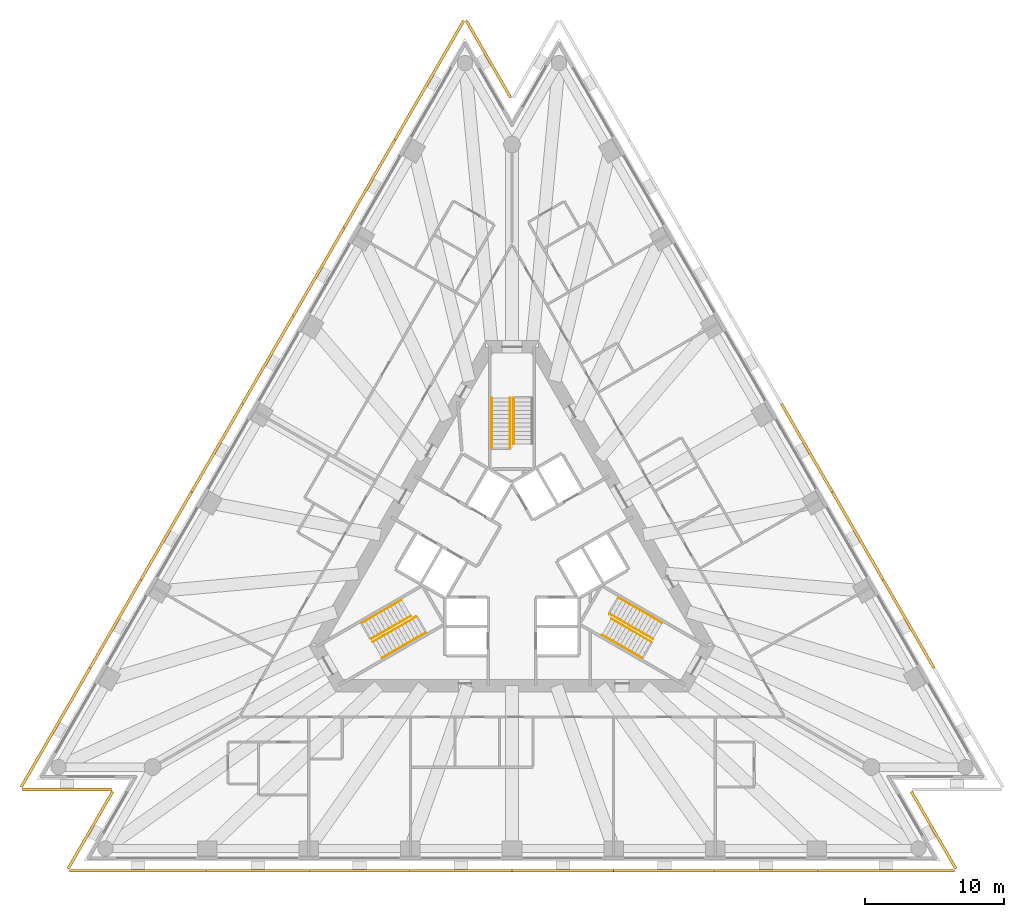
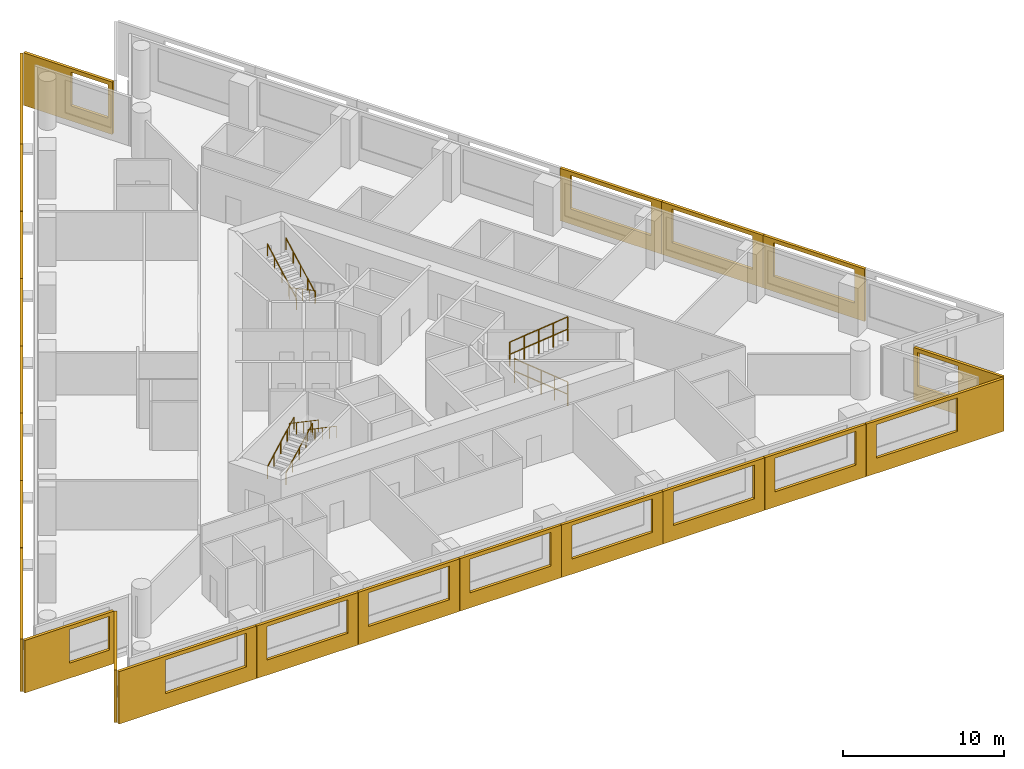
# One storey, part 10 of 11: 23 shading devices, 11 railings, 3 elements without a shape of their own.
"""IFC4 building model written with IfcOpenShell, lengths in metres."""

from ifc_helpers import new_model, si_unit, direction, frame, origin, origin_2d, place, context, subcontext, project, spatial, polyline, circle, outline, extrude, material, layer, layer_set, type_object, element, aggregate, save


model = new_model("IFC4")

# Units and contexts
model_context = context("Model", 3, precision=1e-05, world=origin(), true_north=direction((0.0, 1.0)))
body_context = subcontext(model_context, "Body", "Model", "MODEL_VIEW")
ifc_project = project(units=[si_unit("LENGTHUNIT", "METRE"), si_unit("AREAUNIT", "SQUARE_METRE"), si_unit("VOLUMEUNIT", "CUBIC_METRE"), si_unit("PLANEANGLEUNIT", "RADIAN"), si_unit("MASSUNIT", "GRAM", prefix="KILO")], contexts=[model_context])

# Site, building, storey
site_placement = place(None, origin())
site = spatial("IfcSite", under=ifc_project, at=site_placement, CompositionType="ELEMENT")
building_placement = place(site_placement, origin())
building = spatial("IfcBuilding", under=site, at=building_placement, Name="Triada Interchange Tower", CompositionType="ELEMENT")
storey_placement = place(building_placement, frame((0.0, 0.0, 71.300048828125)))
storey = spatial("IfcBuildingStorey", under=building, at=storey_placement, Name="L15", CompositionType="ELEMENT", Elevation=71.300048828125)

# Shading devices
ifc_material_1 = material(Name="Concrete C50/60 precast", Category="concrete")
ifc_layer_1 = layer(ifc_material_1, 0.02001953125, Name="Exposed aggregate face")
ifc_layer_2 = layer(ifc_material_1, 0.179931640625, Name="Precast concrete screen")
ifc_layer_set = layer_set([ifc_layer_1, ifc_layer_2], Name="Outer skin screen panel 3980")
shading_device_type = type_object("IfcShadingDeviceType", Name="Outer skin screen panel 3980", PredefinedType="SHUTTER", material=ifc_layer_set)
shading_device_1_placement = place(storey_placement, frame((-3.3759765625, 38.596923828125, -0.2900390625), z_axis=(0.0, 0.0, 1.0), x_axis=(-0.500019487037, -0.866014152646, 0.0)))
element("IfcShadingDevice", 1, at=shading_device_1_placement, inside=storey, type_object=shading_device_type, Name="Outer skin screen panel L15 01", PredefinedType="SHUTTER", context=body_context, shape_type="SweptSolid", body=[
    extrude(outline(polyline([(0.0, 0.0), (9.86572265625, 0.0), (9.86572265625, 3.97998046875), (0.0, 3.97998046875), (0.0, 0.0)]), holes=[polyline([(3.33154296875, 1.139892578125), (3.33154296875, 3.68994140625), (9.131591796875, 3.68994140625), (9.131591796875, 1.139892578125), (3.33154296875, 1.139892578125)])]), frame((0.0, 0.0, 0.0), z_axis=(0.0, -1.0, 0.0), x_axis=(1.0, 0.0, 0.0)), (0.0, 0.0, 1.0), 0.199951171875),
])
shading_device_2_placement = place(storey_placement, frame((-8.319091796875, 30.035888671875, -0.2900390625), z_axis=(0.0, 0.0, 1.0), x_axis=(-0.499997733992, -0.866026712061, 0.0)))
element("IfcShadingDevice", 2, at=shading_device_2_placement, inside=storey, type_object=shading_device_type, Name="Outer skin screen panel L15 02", PredefinedType="SHUTTER", context=body_context, shape_type="SweptSolid", body=[
    extrude(outline(polyline([(0.0, 0.0), (7.267578125, 0.0), (7.267578125, 3.97998046875), (0.0, 3.97998046875), (0.0, 0.0)]), holes=[polyline([(0.73388671875, 1.139892578125), (0.73388671875, 3.68994140625), (6.533935546875, 3.68994140625), (6.533935546875, 1.139892578125), (0.73388671875, 1.139892578125)])]), frame((0.0, 0.0, 0.0), z_axis=(0.0, -1.0, 0.0), x_axis=(1.0, 0.0, 0.0)), (0.0, 0.0, 1.0), 0.199951171875),
])
shading_device_3_placement = place(storey_placement, frame((-11.962890625, 23.72509765625, -0.2900390625), z_axis=(0.0, 0.0, 1.0), x_axis=(-0.499907598821, -0.866078745058, 0.0)))
element("IfcShadingDevice", 3, at=shading_device_3_placement, inside=storey, type_object=shading_device_type, Name="Outer skin screen panel L15 03", PredefinedType="SHUTTER", context=body_context, shape_type="SweptSolid", body=[
    extrude(outline(polyline([(0.0, 0.0), (7.267578125, 0.0), (7.267578125, 3.97998046875), (0.0, 3.97998046875), (0.0, 0.0)]), holes=[polyline([(0.7333984375, 1.139892578125), (0.7333984375, 3.68994140625), (6.533447265625, 3.68994140625), (6.533447265625, 1.139892578125), (0.7333984375, 1.139892578125)])]), frame((0.0, 0.0, 0.0), z_axis=(0.0, -1.0, 0.0), x_axis=(1.0, 0.0, 0.0)), (0.0, 0.0, 1.0), 0.199951171875),
])
shading_device_4_placement = place(storey_placement, frame((-15.60595703125, 17.4140625, -0.2900390625), z_axis=(0.0, 0.0, 1.0), x_axis=(-0.500022928159, -0.866012165801, 0.0)))
element("IfcShadingDevice", 4, at=shading_device_4_placement, inside=storey, type_object=shading_device_type, Name="Outer skin screen panel L15 04", PredefinedType="SHUTTER", context=body_context, shape_type="SweptSolid", body=[
    extrude(outline(polyline([(0.0, 0.0), (7.267822265625, 0.0), (7.267822265625, 3.97998046875), (0.0, 3.97998046875), (0.0, 0.0)]), holes=[polyline([(0.73388671875, 1.139892578125), (0.73388671875, 3.68994140625), (6.53369140625, 3.68994140625), (6.53369140625, 1.139892578125), (0.73388671875, 1.139892578125)])]), frame((0.0, 0.0, 0.0), z_axis=(0.0, -1.0, 0.0), x_axis=(1.0, 0.0, 0.0)), (0.0, 0.0, 1.0), 0.199951171875),
])
shading_device_5_placement = place(storey_placement, frame((-19.25, 11.10205078125, -0.2900390625), z_axis=(0.0, 0.0, 1.0), x_axis=(-0.500022928159, -0.866012165801, 0.0)))
element("IfcShadingDevice", 5, at=shading_device_5_placement, inside=storey, type_object=shading_device_type, Name="Outer skin screen panel L15 05", PredefinedType="SHUTTER", context=body_context, shape_type="SweptSolid", body=[
    extrude(outline(polyline([(0.0, 0.0), (7.267822265625, 0.0), (7.267822265625, 3.97998046875), (0.0, 3.97998046875), (0.0, 0.0)]), holes=[polyline([(0.734130859375, 1.139892578125), (0.734130859375, 3.68994140625), (6.5341796875, 3.68994140625), (6.5341796875, 1.139892578125), (0.734130859375, 1.139892578125)])]), frame((0.0, 0.0, 0.0), z_axis=(0.0, -1.0, 0.0), x_axis=(1.0, 0.0, 0.0)), (0.0, 0.0, 1.0), 0.199951171875),
])
shading_device_6_placement = place(storey_placement, frame((-22.89404296875, 4.791015625, -0.2900390625), z_axis=(0.0, 0.0, 1.0), x_axis=(-0.500022928159, -0.866012165801, 0.0)))
element("IfcShadingDevice", 6, at=shading_device_6_placement, inside=storey, type_object=shading_device_type, Name="Outer skin screen panel L15 06", PredefinedType="SHUTTER", context=body_context, shape_type="SweptSolid", body=[
    extrude(outline(polyline([(0.0, 0.0), (7.267822265625, 0.0), (7.267822265625, 3.97998046875), (0.0, 3.97998046875), (0.0, 0.0)]), holes=[polyline([(0.733642578125, 1.139892578125), (0.733642578125, 3.68994140625), (6.53369140625, 3.68994140625), (6.53369140625, 1.139892578125), (0.733642578125, 1.139892578125)])]), frame((0.0, 0.0, 0.0), z_axis=(0.0, -1.0, 0.0), x_axis=(1.0, 0.0, 0.0)), (0.0, 0.0, 1.0), 0.199951171875),
])
shading_device_7_placement = place(storey_placement, frame((-26.5380859375, -1.52001953125, -0.2900390625), z_axis=(0.0, 0.0, 1.0), x_axis=(-0.499896944627, -0.866084894657, 0.0)))
element("IfcShadingDevice", 7, at=shading_device_7_placement, inside=storey, type_object=shading_device_type, Name="Outer skin screen panel L15 07", PredefinedType="SHUTTER", context=body_context, shape_type="SweptSolid", body=[
    extrude(outline(polyline([(0.0, 0.0), (7.26708984375, 0.0), (7.26708984375, 3.97998046875), (0.0, 3.97998046875), (0.0, 0.0)]), holes=[polyline([(0.73388671875, 1.139892578125), (0.73388671875, 3.68994140625), (6.533935546875, 3.68994140625), (6.533935546875, 1.139892578125), (0.73388671875, 1.139892578125)])]), frame((0.0, 0.0, 0.0), z_axis=(0.0, -1.0, 0.0), x_axis=(1.0, 0.0, 0.0)), (0.0, 0.0, 1.0), 0.199951171875),
])
shading_device_8_placement = place(storey_placement, frame((-30.180908203125, -7.8310546875, -0.2900390625), z_axis=(0.0, 0.0, 1.0), x_axis=(-0.500019487037, -0.866014152646, 0.0)))
element("IfcShadingDevice", 8, at=shading_device_8_placement, inside=storey, type_object=shading_device_type, Name="Outer skin screen panel L15 08", PredefinedType="SHUTTER", context=body_context, shape_type="SweptSolid", body=[
    extrude(outline(polyline([(0.0, 0.0), (9.86572265625, 0.0), (9.86572265625, 3.97998046875), (0.0, 3.97998046875), (0.0, 0.0)]), holes=[polyline([(0.7333984375, 1.139892578125), (0.7333984375, 3.68994140625), (6.533447265625, 3.68994140625), (6.533447265625, 1.139892578125), (0.7333984375, 1.139892578125)])]), frame((0.0, 0.0, 0.0), z_axis=(0.0, -1.0, 0.0), x_axis=(1.0, 0.0, 0.0)), (0.0, 0.0, 1.0), 0.199951171875),
])
shading_device_9_placement = place(storey_placement, frame((-35.10888671875, -16.384033203125, -0.2900390625), z_axis=(0.0, 0.0, 1.0), x_axis=(1.0, 0.0, 0.0)))
element("IfcShadingDevice", 9, at=shading_device_9_placement, inside=storey, type_object=shading_device_type, Name="Outer skin screen panel L15 09", PredefinedType="SHUTTER", context=body_context, shape_type="SweptSolid", body=[
    extrude(outline(polyline([(0.0, 0.0), (6.373779296875, 0.0), (6.373779296875, 3.97998046875), (0.0, 3.97998046875), (0.0, 0.0)]), holes=[polyline([(3.175048828125, 1.139892578125), (3.175048828125, 3.68994140625), (6.073974609375, 3.68994140625), (6.073974609375, 1.139892578125), (3.175048828125, 1.139892578125)])]), frame((0.0, 0.0, 0.0), z_axis=(0.0, -1.0, 0.0), x_axis=(1.0, 0.0, 0.0)), (0.0, 0.0, 1.0), 0.199951171875),
])
shading_device_10_placement = place(storey_placement, frame((-28.555908203125, -16.693115234375, -0.2900390625), z_axis=(0.0, 0.0, 1.0), x_axis=(-0.500019757925, -0.866013996241, 0.0)))
element("IfcShadingDevice", 10, at=shading_device_10_placement, inside=storey, type_object=shading_device_type, Name="Outer skin screen panel L15 10", PredefinedType="SHUTTER", context=body_context, shape_type="SweptSolid", body=[
    extrude(outline(polyline([(0.0, 0.0), (6.373779296875, 0.0), (6.373779296875, 3.97998046875), (0.0, 3.97998046875), (0.0, 0.0)]), holes=[polyline([(0.300048828125, 1.139892578125), (0.300048828125, 3.68994140625), (2.9580078125, 3.68994140625), (2.9580078125, 1.139892578125), (0.300048828125, 1.139892578125)])]), frame((0.0, 0.0, 0.0), z_axis=(0.0, -1.0, 0.0), x_axis=(1.0, 0.0, 0.0)), (0.0, 0.0, 1.0), 0.199951171875),
])
shading_device_11_placement = place(storey_placement, frame((-31.738037109375, -22.221923828125, -0.2900390625), z_axis=(0.0, 0.0, 1.0), x_axis=(1.0, 0.0, 0.0)))
element("IfcShadingDevice", 11, at=shading_device_11_placement, inside=storey, type_object=shading_device_type, Name="Outer skin screen panel L15 11", PredefinedType="SHUTTER", context=body_context, shape_type="SweptSolid", body=[
    extrude(outline(polyline([(0.0, 0.0), (9.865966796875, 0.0), (9.865966796875, 3.97998046875), (0.0, 3.97998046875), (0.0, 0.0)]), holes=[polyline([(3.33203125, 1.139892578125), (3.33203125, 3.68994140625), (9.132080078125, 3.68994140625), (9.132080078125, 1.139892578125), (3.33203125, 1.139892578125)])]), frame((0.0, 0.0, 0.0), z_axis=(0.0, -1.0, 0.0), x_axis=(1.0, 0.0, 0.0)), (0.0, 0.0, 1.0), 0.199951171875),
])
shading_device_12_placement = place(storey_placement, frame((-21.85205078125, -22.221923828125, -0.2900390625), z_axis=(0.0, 0.0, 1.0), x_axis=(1.0, 0.0, 0.0)))
element("IfcShadingDevice", 12, at=shading_device_12_placement, inside=storey, type_object=shading_device_type, Name="Outer skin screen panel L15 12", PredefinedType="SHUTTER", context=body_context, shape_type="SweptSolid", body=[
    extrude(outline(polyline([(0.0, 0.0), (7.26708984375, 0.0), (7.26708984375, 3.97998046875), (0.0, 3.97998046875), (0.0, 0.0)]), holes=[polyline([(0.7333984375, 1.139892578125), (0.7333984375, 3.68994140625), (6.533447265625, 3.68994140625), (6.533447265625, 1.139892578125), (0.7333984375, 1.139892578125)])]), frame((0.0, 0.0, 0.0), z_axis=(0.0, -1.0, 0.0), x_axis=(1.0, 0.0, 0.0)), (0.0, 0.0, 1.0), 0.199951171875),
])
shading_device_13_placement = place(storey_placement, frame((-14.56494140625, -22.221923828125, -0.2900390625), z_axis=(0.0, 0.0, 1.0), x_axis=(1.0, 0.0, 0.0)))
element("IfcShadingDevice", 13, at=shading_device_13_placement, inside=storey, type_object=shading_device_type, Name="Outer skin screen panel L15 13", PredefinedType="SHUTTER", context=body_context, shape_type="SweptSolid", body=[
    extrude(outline(polyline([(0.0, 0.0), (7.266845703125, 0.0), (7.266845703125, 3.97998046875), (0.0, 3.97998046875), (0.0, 0.0)]), holes=[polyline([(0.73388671875, 1.139892578125), (0.73388671875, 3.68994140625), (6.533935546875, 3.68994140625), (6.533935546875, 1.139892578125), (0.73388671875, 1.139892578125)])]), frame((0.0, 0.0, 0.0), z_axis=(0.0, -1.0, 0.0), x_axis=(1.0, 0.0, 0.0)), (0.0, 0.0, 1.0), 0.199951171875),
])
shading_device_14_placement = place(storey_placement, frame((-7.278076171875, -22.221923828125, -0.2900390625), z_axis=(0.0, 0.0, 1.0), x_axis=(1.0, 0.0, 0.0)))
element("IfcShadingDevice", 14, at=shading_device_14_placement, inside=storey, type_object=shading_device_type, Name="Outer skin screen panel L15 14", PredefinedType="SHUTTER", context=body_context, shape_type="SweptSolid", body=[
    extrude(outline(polyline([(0.0, 0.0), (7.26806640625, 0.0), (7.26806640625, 3.97998046875), (0.0, 3.97998046875), (0.0, 0.0)]), holes=[polyline([(0.7333984375, 1.139892578125), (0.7333984375, 3.68994140625), (6.533447265625, 3.68994140625), (6.533447265625, 1.139892578125), (0.7333984375, 1.139892578125)])]), frame((0.0, 0.0, 0.0), z_axis=(0.0, -1.0, 0.0), x_axis=(1.0, 0.0, 0.0)), (0.0, 0.0, 1.0), 0.199951171875),
])
shading_device_15_placement = place(storey_placement, frame((0.010009765625, -22.221923828125, -0.2900390625), z_axis=(0.0, 0.0, 1.0), x_axis=(1.0, 0.0, 0.0)))
element("IfcShadingDevice", 15, at=shading_device_15_placement, inside=storey, type_object=shading_device_type, Name="Outer skin screen panel L15 15", PredefinedType="SHUTTER", context=body_context, shape_type="SweptSolid", body=[
    extrude(outline(polyline([(0.0, 0.0), (7.26806640625, 0.0), (7.26806640625, 3.97998046875), (0.0, 3.97998046875), (0.0, 0.0)]), holes=[polyline([(0.73388671875, 1.139892578125), (0.73388671875, 3.68994140625), (6.533935546875, 3.68994140625), (6.533935546875, 1.139892578125), (0.73388671875, 1.139892578125)])]), frame((0.0, 0.0, 0.0), z_axis=(0.0, -1.0, 0.0), x_axis=(1.0, 0.0, 0.0)), (0.0, 0.0, 1.0), 0.199951171875),
])
shading_device_16_placement = place(storey_placement, frame((7.297119140625, -22.221923828125, -0.2900390625), z_axis=(0.0, 0.0, 1.0), x_axis=(1.0, 0.0, 0.0)))
element("IfcShadingDevice", 16, at=shading_device_16_placement, inside=storey, type_object=shading_device_type, Name="Outer skin screen panel L15 16", PredefinedType="SHUTTER", context=body_context, shape_type="SweptSolid", body=[
    extrude(outline(polyline([(0.0, 0.0), (7.267822265625, 0.0), (7.267822265625, 3.97998046875), (0.0, 3.97998046875), (0.0, 0.0)]), holes=[polyline([(0.7333984375, 1.139892578125), (0.7333984375, 3.68994140625), (6.533447265625, 3.68994140625), (6.533447265625, 1.139892578125), (0.7333984375, 1.139892578125)])]), frame((0.0, 0.0, 0.0), z_axis=(0.0, -1.0, 0.0), x_axis=(1.0, 0.0, 0.0)), (0.0, 0.0, 1.0), 0.199951171875),
])
shading_device_17_placement = place(storey_placement, frame((14.5849609375, -22.221923828125, -0.2900390625), z_axis=(0.0, 0.0, 1.0), x_axis=(1.0, 0.0, 0.0)))
element("IfcShadingDevice", 17, at=shading_device_17_placement, inside=storey, type_object=shading_device_type, Name="Outer skin screen panel L15 17", PredefinedType="SHUTTER", context=body_context, shape_type="SweptSolid", body=[
    extrude(outline(polyline([(0.0, 0.0), (7.26806640625, 0.0), (7.26806640625, 3.97998046875), (0.0, 3.97998046875), (0.0, 0.0)]), holes=[polyline([(0.73388671875, 1.139892578125), (0.73388671875, 3.68994140625), (6.533935546875, 3.68994140625), (6.533935546875, 1.139892578125), (0.73388671875, 1.139892578125)])]), frame((0.0, 0.0, 0.0), z_axis=(0.0, -1.0, 0.0), x_axis=(1.0, 0.0, 0.0)), (0.0, 0.0, 1.0), 0.199951171875),
])
shading_device_18_placement = place(storey_placement, frame((21.8720703125, -22.221923828125, -0.2900390625), z_axis=(0.0, 0.0, 1.0), x_axis=(1.0, 0.0, 0.0)))
element("IfcShadingDevice", 18, at=shading_device_18_placement, inside=storey, type_object=shading_device_type, Name="Outer skin screen panel L15 18", PredefinedType="SHUTTER", context=body_context, shape_type="SweptSolid", body=[
    extrude(outline(polyline([(0.0, 0.0), (9.865966796875, 0.0), (9.865966796875, 3.97998046875), (0.0, 3.97998046875), (0.0, 0.0)]), holes=[polyline([(0.7333984375, 1.139892578125), (0.7333984375, 3.68994140625), (6.533447265625, 3.68994140625), (6.533447265625, 1.139892578125), (0.7333984375, 1.139892578125)])]), frame((0.0, 0.0, 0.0), z_axis=(0.0, -1.0, 0.0), x_axis=(1.0, 0.0, 0.0)), (0.0, 0.0, 1.0), 0.199951171875),
])
shading_device_19_placement = place(storey_placement, frame((31.742919921875, -22.212890625, -0.2900390625), z_axis=(0.0, 0.0, 1.0), x_axis=(-0.500019757925, 0.866013996241, 0.0)))
element("IfcShadingDevice", 19, at=shading_device_19_placement, inside=storey, type_object=shading_device_type, Name="Outer skin screen panel L15 19", PredefinedType="SHUTTER", context=body_context, shape_type="SweptSolid", body=[
    extrude(outline(polyline([(0.0, 0.0), (6.373779296875, 0.0), (6.373779296875, 3.97998046875), (0.0, 3.97998046875), (0.0, 0.0)]), holes=[polyline([(3.17529296875, 1.139892578125), (3.17529296875, 3.68994140625), (6.07421875, 3.68994140625), (6.07421875, 1.139892578125), (3.17529296875, 1.139892578125)])]), frame((0.0, 0.0, 0.0), z_axis=(0.0, -1.0, 0.0), x_axis=(1.0, 0.0, 0.0)), (0.0, 0.0, 1.0), 0.199951171875),
])
shading_device_20_placement = place(storey_placement, frame((30.1708984375, -7.81396484375, -0.2900390625), z_axis=(0.0, 0.0, 1.0), x_axis=(-0.499896944627, 0.866084894657, 0.0)))
element("IfcShadingDevice", 20, at=shading_device_20_placement, inside=storey, type_object=shading_device_type, Name="Outer skin screen panel L15 22", PredefinedType="SHUTTER", context=body_context, shape_type="SweptSolid", body=[
    extrude(outline(polyline([(0.0, 0.0), (7.26708984375, 0.0), (7.26708984375, 3.97998046875), (0.0, 3.97998046875), (0.0, 0.0)]), holes=[polyline([(0.733642578125, 1.139892578125), (0.733642578125, 3.68994140625), (6.53369140625, 3.68994140625), (6.53369140625, 1.139892578125), (0.733642578125, 1.139892578125)])]), frame((0.0, 0.0, 0.0), z_axis=(0.0, -1.0, 0.0), x_axis=(1.0, 0.0, 0.0)), (0.0, 0.0, 1.0), 0.199951171875),
])
shading_device_21_placement = place(storey_placement, frame((26.528076171875, -1.5029296875, -0.2900390625), z_axis=(0.0, 0.0, 1.0), x_axis=(-0.500022928159, 0.866012165801, 0.0)))
element("IfcShadingDevice", 21, at=shading_device_21_placement, inside=storey, type_object=shading_device_type, Name="Outer skin screen panel L15 23", PredefinedType="SHUTTER", context=body_context, shape_type="SweptSolid", body=[
    extrude(outline(polyline([(0.0, 0.0), (7.267822265625, 0.0), (7.267822265625, 3.97998046875), (0.0, 3.97998046875), (0.0, 0.0)]), holes=[polyline([(0.734130859375, 1.139892578125), (0.734130859375, 3.68994140625), (6.5341796875, 3.68994140625), (6.5341796875, 1.139892578125), (0.734130859375, 1.139892578125)])]), frame((0.0, 0.0, 0.0), z_axis=(0.0, -1.0, 0.0), x_axis=(1.0, 0.0, 0.0)), (0.0, 0.0, 1.0), 0.199951171875),
])
shading_device_22_placement = place(storey_placement, frame((22.884033203125, 4.80810546875, -0.2900390625), z_axis=(0.0, 0.0, 1.0), x_axis=(-0.500022928159, 0.866012165801, 0.0)))
element("IfcShadingDevice", 22, at=shading_device_22_placement, inside=storey, type_object=shading_device_type, Name="Outer skin screen panel L15 24", PredefinedType="SHUTTER", context=body_context, shape_type="SweptSolid", body=[
    extrude(outline(polyline([(0.0, 0.0), (7.267822265625, 0.0), (7.267822265625, 3.97998046875), (0.0, 3.97998046875), (0.0, 0.0)]), holes=[polyline([(0.7333984375, 1.139892578125), (0.7333984375, 3.68994140625), (6.533447265625, 3.68994140625), (6.533447265625, 1.139892578125), (0.7333984375, 1.139892578125)])]), frame((0.0, 0.0, 0.0), z_axis=(0.0, -1.0, 0.0), x_axis=(1.0, 0.0, 0.0)), (0.0, 0.0, 1.0), 0.199951171875),
])
shading_device_23_placement = place(storey_placement, frame((-0.177978515625, 33.076904296875, -0.2900390625), z_axis=(0.0, 0.0, 1.0), x_axis=(-0.500118066197, 0.865957227502, 0.0)))
element("IfcShadingDevice", 23, at=shading_device_23_placement, inside=storey, type_object=shading_device_type, Name="Outer skin screen panel L15 30", PredefinedType="SHUTTER", context=body_context, shape_type="SweptSolid", body=[
    extrude(outline(polyline([(0.0, 0.0), (6.37451171875, 0.0), (6.37451171875, 3.97998046875), (0.0, 3.97998046875), (0.0, 0.0)]), holes=[polyline([(0.300048828125, 1.139892578125), (0.300048828125, 3.68994140625), (2.9580078125, 3.68994140625), (2.9580078125, 1.139892578125), (0.300048828125, 1.139892578125)])]), frame((0.0, 0.0, 0.0), z_axis=(0.0, -1.0, 0.0), x_axis=(1.0, 0.0, 0.0)), (0.0, 0.0, 1.0), 0.199951171875),
])

# Stair, railings
ifc_material_2 = material(Name="Concrete C35/45", Category="concrete")
stair_type = type_object("IfcStairType", Name="HALF TURN STAIR 1400", PredefinedType="HALF_TURN_STAIR", material=ifc_material_2)
stair_1_placement = place(storey_placement, origin())
stair_1 = element("IfcStair", 24, at=stair_1_placement, inside=storey, type_object=stair_type, Name="Exit stair S15-1", PredefinedType="HALF_TURN_STAIR")
ifc_material_3 = material(Name="Stainless steel 1.4301", Category="steel")
railing_type = type_object("IfcRailingType", Name="STAIR HANDRAIL 900", PredefinedType="HANDRAIL", material=ifc_material_3)
railing_1_placement = place(storey_placement, frame((0.1201171875, 11.60009765625, 0.159912109375)))
railing_1 = element("IfcRailing", 25, at=railing_1_placement, type_object=railing_type, Name="Handrail S15-1 1C", PredefinedType="HANDRAIL", context=body_context, shape_type="SweptSolid", body=[
    extrude(circle(Radius=0.02392578125, at=origin_2d()), frame((0.0, 0.0, 0.8759765625), z_axis=(0.0, -0.882354748157, 0.47058484719), x_axis=(1.0, 0.0, 0.0)), (0.0, 0.0, 1.0), 3.739990234375),
    extrude(circle(Radius=0.02099609375, at=origin_2d()), origin(), (0.0, 0.0, 1.0), 0.851806640625),
    extrude(circle(Radius=0.02099609375, at=origin_2d()), frame((0.0, -0.824951171875, 0.43994140625)), (0.0, 0.0, 1.0), 0.851806640625),
    extrude(circle(Radius=0.02099609375, at=origin_2d()), frame((0.0, -1.64990234375, 0.8798828125)), (0.0, 0.0, 1.0), 0.851806640625),
    extrude(circle(Radius=0.02099609375, at=origin_2d()), frame((0.0, -2.47509765625, 1.320068359375)), (0.0, 0.0, 1.0), 0.851806640625),
    extrude(circle(Radius=0.02099609375, at=origin_2d()), frame((0.0, -3.300048828125, 1.760009765625)), (0.0, 0.0, 1.0), 0.851806640625),
])
railing_2_placement = place(storey_placement, frame((-1.449951171875, 8.0, 2.079833984375)))
railing_2 = element("IfcRailing", 26, at=railing_2_placement, type_object=railing_type, Name="Handrail S15-1 2W", PredefinedType="HANDRAIL", context=body_context, shape_type="SweptSolid", body=[
    extrude(circle(Radius=0.02392578125, at=origin_2d()), frame((0.0, 0.0, 0.8759765625), z_axis=(0.0, 0.882341346394, 0.470609974867), x_axis=(-1.0, 0.0, 0.0)), (0.0, 0.0, 1.0), 4.080078125),
    extrude(circle(Radius=0.02099609375, at=origin_2d()), origin(), (0.0, 0.0, 1.0), 0.851806640625),
    extrude(circle(Radius=0.02099609375, at=origin_2d()), frame((0.0, 0.89990234375, 0.47998046875)), (0.0, 0.0, 1.0), 0.851806640625),
    extrude(circle(Radius=0.02099609375, at=origin_2d()), frame((0.0, 1.800048828125, 0.9599609375)), (0.0, 0.0, 1.0), 0.851806640625),
    extrude(circle(Radius=0.02099609375, at=origin_2d()), frame((0.0, 2.7001953125, 1.440185546875)), (0.0, 0.0, 1.0), 0.851806640625),
    extrude(circle(Radius=0.02099609375, at=origin_2d()), frame((0.0, 3.60009765625, 1.920166015625)), (0.0, 0.0, 1.0), 0.851806640625),
])
railing_3_placement = place(storey_placement, frame((-0.1201171875, 8.0, 2.079833984375)))
railing_3 = element("IfcRailing", 27, at=railing_3_placement, type_object=railing_type, Name="Handrail S15-1 2C", PredefinedType="HANDRAIL", context=body_context, shape_type="SweptSolid", body=[
    extrude(circle(Radius=0.02392578125, at=origin_2d()), frame((0.0, 0.0, 0.8759765625), z_axis=(0.0, 0.882341346394, 0.470609974867), x_axis=(-1.0, 0.0, 0.0)), (0.0, 0.0, 1.0), 4.080078125),
    extrude(circle(Radius=0.02099609375, at=origin_2d()), origin(), (0.0, 0.0, 1.0), 0.851806640625),
    extrude(circle(Radius=0.02099609375, at=origin_2d()), frame((0.0, 0.89990234375, 0.47998046875)), (0.0, 0.0, 1.0), 0.851806640625),
    extrude(circle(Radius=0.02099609375, at=origin_2d()), frame((0.0, 1.800048828125, 0.9599609375)), (0.0, 0.0, 1.0), 0.851806640625),
    extrude(circle(Radius=0.02099609375, at=origin_2d()), frame((0.0, 2.7001953125, 1.440185546875)), (0.0, 0.0, 1.0), 0.851806640625),
    extrude(circle(Radius=0.02099609375, at=origin_2d()), frame((0.0, 3.60009765625, 1.920166015625)), (0.0, 0.0, 1.0), 0.851806640625),
])
aggregate(stair_1, [railing_1, railing_2, railing_3])

stair_2_placement = place(storey_placement, origin())
stair_2 = element("IfcStair", 28, at=stair_2_placement, inside=storey, type_object=stair_type, Name="Exit stair S15-2", PredefinedType="HALF_TURN_STAIR")
railing_4_placement = place(storey_placement, frame((-10.77099609375, -4.5439453125, 0.159912109375)))
railing_4 = element("IfcRailing", 29, at=railing_4_placement, type_object=railing_type, Name="Handrail S15-2 1W", PredefinedType="HANDRAIL", context=body_context, shape_type="SweptSolid", body=[
    extrude(circle(Radius=0.02392578125, at=origin_2d()), frame((0.0, 0.0, 0.8759765625), z_axis=(0.764150854273, 0.441152526326, 0.470593158077), x_axis=(-0.499974350878, 0.866040211805, 0.0)), (0.0, 0.0, 1.0), 3.739990234375),
    extrude(circle(Radius=0.02099609375, at=origin_2d()), origin(), (0.0, 0.0, 1.0), 0.851806640625),
    extrude(circle(Radius=0.02099609375, at=origin_2d()), frame((0.71435546875, 0.41259765625, 0.43994140625)), (0.0, 0.0, 1.0), 0.851806640625),
    extrude(circle(Radius=0.02099609375, at=origin_2d()), frame((1.428955078125, 0.824951171875, 0.8798828125)), (0.0, 0.0, 1.0), 0.851806640625),
    extrude(circle(Radius=0.02099609375, at=origin_2d()), frame((2.1435546875, 1.2373046875, 1.320068359375)), (0.0, 0.0, 1.0), 0.851806640625),
    extrude(circle(Radius=0.02099609375, at=origin_2d()), frame((2.85791015625, 1.64990234375, 1.760009765625)), (0.0, 0.0, 1.0), 0.851806640625),
])
railing_5_placement = place(storey_placement, frame((-10.10595703125, -5.696044921875, 0.159912109375)))
railing_5 = element("IfcRailing", 30, at=railing_5_placement, type_object=railing_type, Name="Handrail S15-2 1C", PredefinedType="HANDRAIL", context=body_context, shape_type="SweptSolid", body=[
    extrude(circle(Radius=0.02392578125, at=origin_2d()), frame((0.0, 0.0, 0.8759765625), z_axis=(0.76412884773, 0.441205098395, 0.470579605611), x_axis=(-0.50002983664, 0.866008176907, 0.0)), (0.0, 0.0, 1.0), 3.739990234375),
    extrude(circle(Radius=0.02099609375, at=origin_2d()), origin(), (0.0, 0.0, 1.0), 0.851806640625),
    extrude(circle(Radius=0.02099609375, at=origin_2d()), frame((0.71435546875, 0.41259765625, 0.43994140625)), (0.0, 0.0, 1.0), 0.851806640625),
    extrude(circle(Radius=0.02099609375, at=origin_2d()), frame((1.428955078125, 0.8251953125, 0.8798828125)), (0.0, 0.0, 1.0), 0.851806640625),
    extrude(circle(Radius=0.02099609375, at=origin_2d()), frame((2.1435546875, 1.237548828125, 1.320068359375)), (0.0, 0.0, 1.0), 0.851806640625),
    extrude(circle(Radius=0.02099609375, at=origin_2d()), frame((2.85791015625, 1.650146484375, 1.760009765625)), (0.0, 0.0, 1.0), 0.851806640625),
])
railing_6_placement = place(storey_placement, frame((-6.202880859375, -5.256103515625, 2.079833984375)))
railing_6 = element("IfcRailing", 31, at=railing_6_placement, type_object=railing_type, Name="Handrail S15-2 2W", PredefinedType="HANDRAIL", context=body_context, shape_type="SweptSolid", body=[
    extrude(circle(Radius=0.02392578125, at=origin_2d()), frame((0.0, 0.0, 0.8759765625), z_axis=(-0.764189758314, -0.441090424232, 0.470588196769), x_axis=(0.499902469156, -0.866081705922, 0.0)), (0.0, 0.0, 1.0), 4.080322265625),
    extrude(circle(Radius=0.02099609375, at=origin_2d()), origin(), (0.0, 0.0, 1.0), 0.851806640625),
    extrude(circle(Radius=0.02099609375, at=origin_2d()), frame((-0.779541015625, -0.449951171875, 0.47998046875)), (0.0, 0.0, 1.0), 0.851806640625),
    extrude(circle(Radius=0.02099609375, at=origin_2d()), frame((-1.55908203125, -0.89990234375, 0.9599609375)), (0.0, 0.0, 1.0), 0.851806640625),
    extrude(circle(Radius=0.02099609375, at=origin_2d()), frame((-2.338623046875, -1.349853515625, 1.440185546875)), (0.0, 0.0, 1.0), 0.851806640625),
    extrude(circle(Radius=0.02099609375, at=origin_2d()), frame((-3.1181640625, -1.7998046875, 1.920166015625)), (0.0, 0.0, 1.0), 0.851806640625),
])
railing_7_placement = place(storey_placement, frame((-6.867919921875, -4.10400390625, 2.079833984375)))
railing_7 = element("IfcRailing", 32, at=railing_7_placement, type_object=railing_type, Name="Handrail S15-2 2C", PredefinedType="HANDRAIL", context=body_context, shape_type="SweptSolid", body=[
    extrude(circle(Radius=0.02392578125, at=origin_2d()), frame((0.0, 0.0, 0.8759765625), z_axis=(-0.764169589359, -0.441138614339, 0.470575776723), x_axis=(0.49995333141, -0.866052346231, 0.0)), (0.0, 0.0, 1.0), 4.08056640625),
    extrude(circle(Radius=0.02099609375, at=origin_2d()), origin(), (0.0, 0.0, 1.0), 0.851806640625),
    extrude(circle(Radius=0.02099609375, at=origin_2d()), frame((-0.779541015625, -0.449951171875, 0.47998046875)), (0.0, 0.0, 1.0), 0.851806640625),
    extrude(circle(Radius=0.02099609375, at=origin_2d()), frame((-1.55908203125, -0.89990234375, 0.9599609375)), (0.0, 0.0, 1.0), 0.851806640625),
    extrude(circle(Radius=0.02099609375, at=origin_2d()), frame((-2.338623046875, -1.35009765625, 1.440185546875)), (0.0, 0.0, 1.0), 0.851806640625),
    extrude(circle(Radius=0.02099609375, at=origin_2d()), frame((-3.1181640625, -1.800048828125, 1.920166015625)), (0.0, 0.0, 1.0), 0.851806640625),
])
aggregate(stair_2, [railing_4, railing_5, railing_6, railing_7])

stair_3_placement = place(storey_placement, origin())
stair_3 = element("IfcStair", 33, at=stair_3_placement, inside=storey, type_object=stair_type, Name="Exit stair S15-3", PredefinedType="HALF_TURN_STAIR")
railing_8_placement = place(storey_placement, frame((9.321044921875, -7.055908203125, 0.159912109375)))
railing_8 = element("IfcRailing", 34, at=railing_8_placement, type_object=railing_type, Name="Handrail S15-3 1W", PredefinedType="HANDRAIL", context=body_context, shape_type="SweptSolid", body=[
    extrude(circle(Radius=0.02392578125, at=origin_2d()), frame((0.0, 0.0, 0.8759765625), z_axis=(-0.764178012919, 0.441130521168, 0.470569684388), x_axis=(-0.499942318283, -0.866058703778, 0.0)), (0.0, 0.0, 1.0), 3.740234375),
    extrude(circle(Radius=0.02099609375, at=origin_2d()), origin(), (0.0, 0.0, 1.0), 0.851806640625),
    extrude(circle(Radius=0.02099609375, at=origin_2d()), frame((-0.714599609375, 0.41259765625, 0.43994140625)), (0.0, 0.0, 1.0), 0.851806640625),
    extrude(circle(Radius=0.02099609375, at=origin_2d()), frame((-1.42919921875, 0.824951171875, 0.8798828125)), (0.0, 0.0, 1.0), 0.851806640625),
    extrude(circle(Radius=0.02099609375, at=origin_2d()), frame((-2.1435546875, 1.2373046875, 1.320068359375)), (0.0, 0.0, 1.0), 0.851806640625),
    extrude(circle(Radius=0.02099609375, at=origin_2d()), frame((-2.858154296875, 1.64990234375, 1.760009765625)), (0.0, 0.0, 1.0), 0.851806640625),
])
railing_9_placement = place(storey_placement, frame((9.986083984375, -5.904052734375, 0.159912109375)))
railing_9 = element("IfcRailing", 35, at=railing_9_placement, type_object=railing_type, Name="Handrail S15-3 1C", PredefinedType="HANDRAIL", context=body_context, shape_type="SweptSolid", body=[
    extrude(circle(Radius=0.02392578125, at=origin_2d()), frame((0.0, 0.0, 0.8759765625), z_axis=(-0.764156007789, 0.441183091881, 0.47055613395), x_axis=(-0.49999780286, -0.8660266723, 0.0)), (0.0, 0.0, 1.0), 3.740234375),
    extrude(circle(Radius=0.02099609375, at=origin_2d()), origin(), (0.0, 0.0, 1.0), 0.851806640625),
    extrude(circle(Radius=0.02099609375, at=origin_2d()), frame((-0.714599609375, 0.41259765625, 0.43994140625)), (0.0, 0.0, 1.0), 0.851806640625),
    extrude(circle(Radius=0.02099609375, at=origin_2d()), frame((-1.42919921875, 0.8251953125, 0.8798828125)), (0.0, 0.0, 1.0), 0.851806640625),
    extrude(circle(Radius=0.02099609375, at=origin_2d()), frame((-2.1435546875, 1.237548828125, 1.320068359375)), (0.0, 0.0, 1.0), 0.851806640625),
    extrude(circle(Radius=0.02099609375, at=origin_2d()), frame((-2.858154296875, 1.650146484375, 1.760009765625)), (0.0, 0.0, 1.0), 0.851806640625),
])
railing_10_placement = place(storey_placement, frame((7.653076171875, -2.743896484375, 2.079833984375)))
railing_10 = element("IfcRailing", 36, at=railing_10_placement, type_object=railing_type, Name="Handrail S15-3 2W", PredefinedType="HANDRAIL", context=body_context, shape_type="SweptSolid", body=[
    extrude(circle(Radius=0.02392578125, at=origin_2d()), frame((0.0, 0.0, 0.8759765625), z_axis=(0.76414469501, -0.441158784458, 0.470597292793), x_axis=(0.499982693035, 0.866035395735, 0.0)), (0.0, 0.0, 1.0), 4.080322265625),
    extrude(circle(Radius=0.02099609375, at=origin_2d()), origin(), (0.0, 0.0, 1.0), 0.851806640625),
    extrude(circle(Radius=0.02099609375, at=origin_2d()), frame((0.779541015625, -0.449951171875, 0.47998046875)), (0.0, 0.0, 1.0), 0.851806640625),
    extrude(circle(Radius=0.02099609375, at=origin_2d()), frame((1.55908203125, -0.89990234375, 0.9599609375)), (0.0, 0.0, 1.0), 0.851806640625),
    extrude(circle(Radius=0.02099609375, at=origin_2d()), frame((2.33837890625, -1.35009765625, 1.440185546875)), (0.0, 0.0, 1.0), 0.851806640625),
    extrude(circle(Radius=0.02099609375, at=origin_2d()), frame((3.117919921875, -1.800048828125, 1.920166015625)), (0.0, 0.0, 1.0), 0.851806640625),
])
railing_11_placement = place(storey_placement, frame((6.988037109375, -3.89599609375, 2.079833984375)))
railing_11 = element("IfcRailing", 37, at=railing_11_placement, type_object=railing_type, Name="Handrail S15-3 2C", PredefinedType="HANDRAIL", context=body_context, shape_type="SweptSolid", body=[
    extrude(circle(Radius=0.02392578125, at=origin_2d()), frame((0.0, 0.0, 0.8759765625), z_axis=(0.76414469501, -0.441158784458, 0.470597292793), x_axis=(0.499982693035, 0.866035395735, 0.0)), (0.0, 0.0, 1.0), 4.080322265625),
    extrude(circle(Radius=0.02099609375, at=origin_2d()), origin(), (0.0, 0.0, 1.0), 0.851806640625),
    extrude(circle(Radius=0.02099609375, at=origin_2d()), frame((0.779541015625, -0.449951171875, 0.47998046875)), (0.0, 0.0, 1.0), 0.851806640625),
    extrude(circle(Radius=0.02099609375, at=origin_2d()), frame((1.55908203125, -0.89990234375, 0.9599609375)), (0.0, 0.0, 1.0), 0.851806640625),
    extrude(circle(Radius=0.02099609375, at=origin_2d()), frame((2.33837890625, -1.35009765625, 1.440185546875)), (0.0, 0.0, 1.0), 0.851806640625),
    extrude(circle(Radius=0.02099609375, at=origin_2d()), frame((3.117919921875, -1.800048828125, 1.920166015625)), (0.0, 0.0, 1.0), 0.851806640625),
])
aggregate(stair_3, [railing_8, railing_9, railing_10, railing_11])

save(model, "model.ifc")
